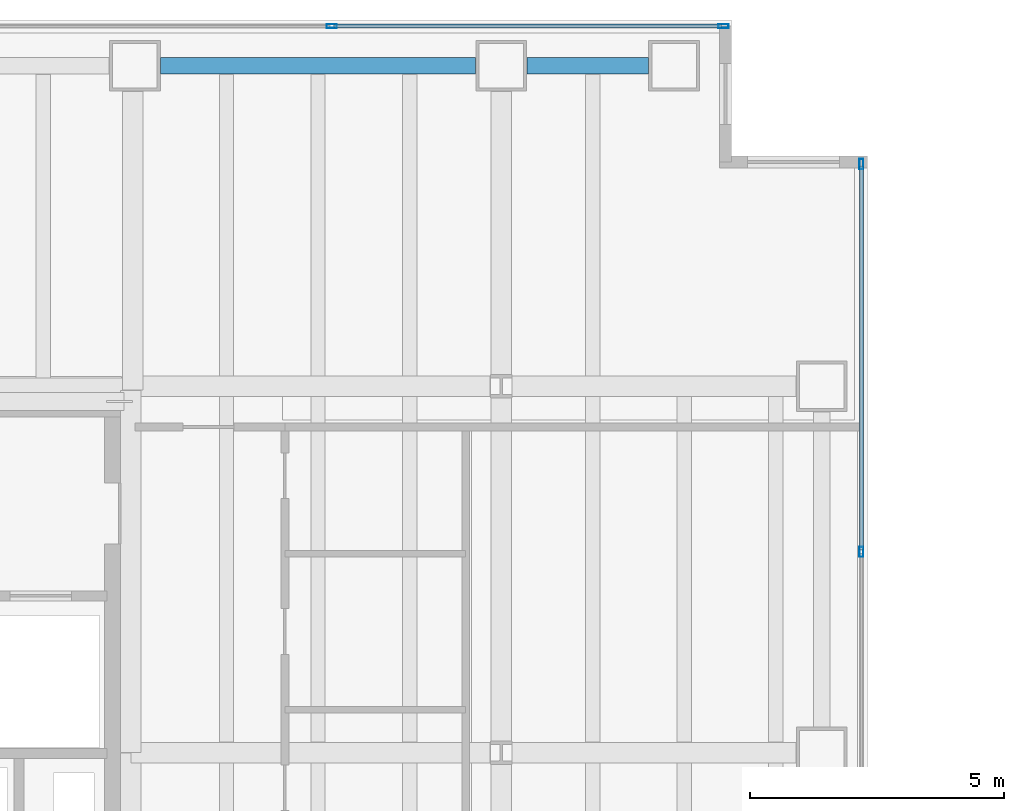
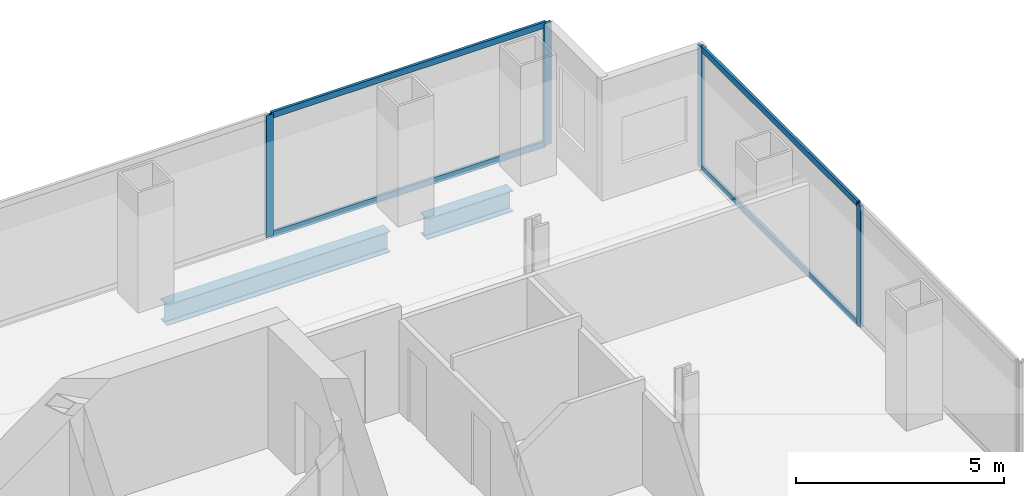
# One storey, part 18 of 23: 8 members, 2 beams, 2 elements without a shape of their own.
"""IFC4 building model written with IfcOpenShell, lengths in metres."""

from ifc_helpers import new_model, si_unit, direction, frame, origin, origin_2d, place, context, subcontext, project, spatial, hollow_rectangle, i_section, extrude, material, material_profile, profile_set, type_object, element, aggregate, save


model = new_model("IFC4")

# Units and contexts
model_context = context("Model", 3, precision=1e-05, world=origin(), true_north=direction((0.0, 1.0)))
body_context = subcontext(model_context, "Body", "Model", "MODEL_VIEW")
ifc_project = project(units=[si_unit("LENGTHUNIT", "METRE"), si_unit("AREAUNIT", "SQUARE_METRE"), si_unit("VOLUMEUNIT", "CUBIC_METRE"), si_unit("PLANEANGLEUNIT", "RADIAN"), si_unit("MASSUNIT", "GRAM", prefix="KILO")], contexts=[model_context])

# Site, building, storey
site_placement = place(None, origin())
site = spatial("IfcSite", under=ifc_project, at=site_placement, CompositionType="ELEMENT")
building_placement = place(site_placement, origin())
building = spatial("IfcBuilding", under=site, at=building_placement, Name="Cobrela Telecom Tower", CompositionType="ELEMENT")
storey_placement = place(building_placement, frame((0.0, 0.0, 50.39990234375)))
storey = spatial("IfcBuildingStorey", under=building, at=storey_placement, Name="L12", CompositionType="ELEMENT", Elevation=50.39990234375)

# Beams
ifc_material_1 = material(Name="Steel ASTM A992 Grade 50", Category="steel")
ifc_material_profile_1 = material_profile(ifc_material_1, i_section(OverallWidth=0.324951171875, OverallDepth=0.612060546875, WebThickness=0.0126953125, FlangeThickness=0.01904296875, FilletRadius=0.014892578125, at=origin_2d()), Name="W24X104")
ifc_profile_set_1 = profile_set([ifc_material_profile_1], Name="Steel ASTM A992 Grade 50")
beam_type = type_object("IfcBeamType", Name="BM-SPAND-02", PredefinedType="SPANDREL", material=ifc_profile_set_1)
beam_1_placement = place(storey_placement, frame((14.905029296875, 42.300048828125, -0.5859375), z_axis=(1.0, 0.0, 0.0), x_axis=(0.0, 1.0, 0.0)))
element("IfcBeam", 1, at=beam_1_placement, inside=storey, type_object=beam_type, Name="L12 Perimeter Spandrel X30", PredefinedType="SPANDREL", context=body_context, shape_type="SweptSolid", body=[
    extrude(i_section(OverallWidth=0.324951171875, OverallDepth=0.612060546875, WebThickness=0.0126953125, FlangeThickness=0.01904296875, FilletRadius=0.014892578125, at=origin_2d()), origin(), (0.0, 0.0, 1.0), 6.18994140625),
])
beam_2_placement = place(storey_placement, frame((22.10498046875, 42.300048828125, -0.5859375), z_axis=(1.0, 0.0, 0.0), x_axis=(0.0, 1.0, 0.0)))
element("IfcBeam", 2, at=beam_2_placement, inside=storey, type_object=beam_type, Name="L12 Perimeter Spandrel X31", PredefinedType="SPANDREL", context=body_context, shape_type="SweptSolid", body=[
    extrude(i_section(OverallWidth=0.324951171875, OverallDepth=0.612060546875, WebThickness=0.0126953125, FlangeThickness=0.01904296875, FilletRadius=0.014892578125, at=origin_2d()), origin(), (0.0, 0.0, 1.0), 2.39013671875),
])

# Curtain wall, members
ifc_material_2 = material(Name="Anodized Bronze Aluminium 6063-T6", Category="aluminium")
curtain_wall_type = type_object("IfcCurtainWallType", Name="CW-SYS-DATA", PredefinedType="USERDEFINED", material=ifc_material_2)
curtain_wall_1_placement = place(storey_placement, origin())
curtain_wall_1 = element("IfcCurtainWall", 3, at=curtain_wall_1_placement, inside=storey, type_object=curtain_wall_type, Name="L12 Unitised Bronze Curtain Wall 07", ObjectType="UNITISED CURTAIN WALL", PredefinedType="USERDEFINED")
ifc_material_profile_2 = material_profile(ifc_material_2, hollow_rectangle(XDim=0.080078125, YDim=0.199951171875, WallThickness=0.00390625, at=origin_2d()), Name="ALU 80x200x4")
ifc_profile_set_2 = profile_set([ifc_material_profile_2], Name="Anodized Bronze Aluminium 6063-T6")
member_type_1 = type_object("IfcMemberType", Name="CW-SYS-DATA-MUL", PredefinedType="MULLION", material=ifc_profile_set_2)
member_1_placement = place(storey_placement, frame((18.27001953125, 43.080078125, 0.0), z_axis=(0.0, 0.0, 1.0), x_axis=(0.0, 1.0, 0.0)))
member_1 = element("IfcMember", 4, at=member_1_placement, type_object=member_type_1, Name="CW-DATA mullion 3", PredefinedType="MULLION", context=body_context, shape_type="SweptSolid", body=[
    extrude(hollow_rectangle(XDim=0.080078125, YDim=0.199951171875, WallThickness=0.00390625, at=origin_2d()), origin(), (0.0, 0.0, 1.0), 3.570068359375),
])
member_2_placement = place(storey_placement, frame((25.969970703125, 43.080078125, 0.0), z_axis=(0.0, 0.0, 1.0), x_axis=(0.0, 1.0, 0.0)))
member_2 = element("IfcMember", 5, at=member_2_placement, type_object=member_type_1, Name="CW-DATA mullion 4", PredefinedType="MULLION", context=body_context, shape_type="SweptSolid", body=[
    extrude(hollow_rectangle(XDim=0.080078125, YDim=0.199951171875, WallThickness=0.00390625, at=origin_2d()), origin(), (0.0, 0.0, 1.0), 3.570068359375),
])

curtain_wall_2_placement = place(storey_placement, origin())
curtain_wall_2 = element("IfcCurtainWall", 6, at=curtain_wall_2_placement, inside=storey, type_object=curtain_wall_type, Name="L12 Unitised Bronze Curtain Wall 10", ObjectType="UNITISED CURTAIN WALL", PredefinedType="USERDEFINED")
member_3_placement = place(storey_placement, frame((28.679931640625, 40.3701171875, 0.0), z_axis=(0.0, 0.0, 1.0), x_axis=(1.0, 0.0, 0.0)))
member_3 = element("IfcMember", 7, at=member_3_placement, type_object=member_type_1, Name="CW-DATA mullion 1", PredefinedType="MULLION", context=body_context, shape_type="SweptSolid", body=[
    extrude(hollow_rectangle(XDim=0.080078125, YDim=0.199951171875, WallThickness=0.00390625, at=origin_2d()), origin(), (0.0, 0.0, 1.0), 3.570068359375),
])
member_4_placement = place(storey_placement, frame((28.679931640625, 32.7451171875, 0.0), z_axis=(0.0, 0.0, 1.0), x_axis=(1.0, 0.0, 0.0)))
member_4 = element("IfcMember", 8, at=member_4_placement, type_object=member_type_1, Name="CW-DATA mullion 2", PredefinedType="MULLION", context=body_context, shape_type="SweptSolid", body=[
    extrude(hollow_rectangle(XDim=0.080078125, YDim=0.199951171875, WallThickness=0.00390625, at=origin_2d()), origin(), (0.0, 0.0, 1.0), 3.570068359375),
])

# Member
ifc_material_profile_3 = material_profile(ifc_material_2, hollow_rectangle(XDim=0.074951171875, YDim=0.179931640625, WallThickness=0.00390625, at=origin_2d()), Name="ALU 75x180x4")
ifc_profile_set_3 = profile_set([ifc_material_profile_3], Name="Anodized Bronze Aluminium 6063-T6")
member_type_2 = type_object("IfcMemberType", Name="CW-SYS-DATA-TRN", PredefinedType="USERDEFINED", material=ifc_profile_set_3)
member_5_placement = place(storey_placement, frame((18.31005859375, 43.080078125, 0.03759765625), z_axis=(1.0, 0.0, 0.0), x_axis=(0.0, 1.0, 0.0)))
member_5 = element("IfcMember", 9, at=member_5_placement, type_object=member_type_2, Name="CW-DATA transom 3.1", ObjectType="TRANSOM", PredefinedType="USERDEFINED", context=body_context, shape_type="SweptSolid", body=[
    extrude(hollow_rectangle(XDim=0.074951171875, YDim=0.179931640625, WallThickness=0.00390625, at=origin_2d()), origin(), (0.0, 0.0, 1.0), 7.619873046875),
])

member_6_placement = place(storey_placement, frame((18.31005859375, 43.080078125, 3.53271484375), z_axis=(1.0, 0.0, 0.0), x_axis=(0.0, 1.0, 0.0)))
member_6 = element("IfcMember", 10, at=member_6_placement, type_object=member_type_2, Name="CW-DATA transom 3.2", ObjectType="TRANSOM", PredefinedType="USERDEFINED", context=body_context, shape_type="SweptSolid", body=[
    extrude(hollow_rectangle(XDim=0.074951171875, YDim=0.179931640625, WallThickness=0.00390625, at=origin_2d()), origin(), (0.0, 0.0, 1.0), 7.619873046875),
])

aggregate(curtain_wall_1, [member_1, member_2, member_5, member_6])

member_7_placement = place(storey_placement, frame((28.679931640625, 40.330078125, 0.03759765625), z_axis=(0.0, -1.0, 0.0), x_axis=(1.0, 0.0, 0.0)))
member_7 = element("IfcMember", 11, at=member_7_placement, type_object=member_type_2, Name="CW-DATA transom 1.1", ObjectType="TRANSOM", PredefinedType="USERDEFINED", context=body_context, shape_type="SweptSolid", body=[
    extrude(hollow_rectangle(XDim=0.074951171875, YDim=0.179931640625, WallThickness=0.00390625, at=origin_2d()), origin(), (0.0, 0.0, 1.0), 7.545166015625),
])

member_8_placement = place(storey_placement, frame((28.679931640625, 40.330078125, 3.53271484375), z_axis=(0.0, -1.0, 0.0), x_axis=(1.0, 0.0, 0.0)))
member_8 = element("IfcMember", 12, at=member_8_placement, type_object=member_type_2, Name="CW-DATA transom 1.2", ObjectType="TRANSOM", PredefinedType="USERDEFINED", context=body_context, shape_type="SweptSolid", body=[
    extrude(hollow_rectangle(XDim=0.074951171875, YDim=0.179931640625, WallThickness=0.00390625, at=origin_2d()), origin(), (0.0, 0.0, 1.0), 7.545166015625),
])

aggregate(curtain_wall_2, [member_3, member_4, member_7, member_8])

save(model, "model.ifc")
